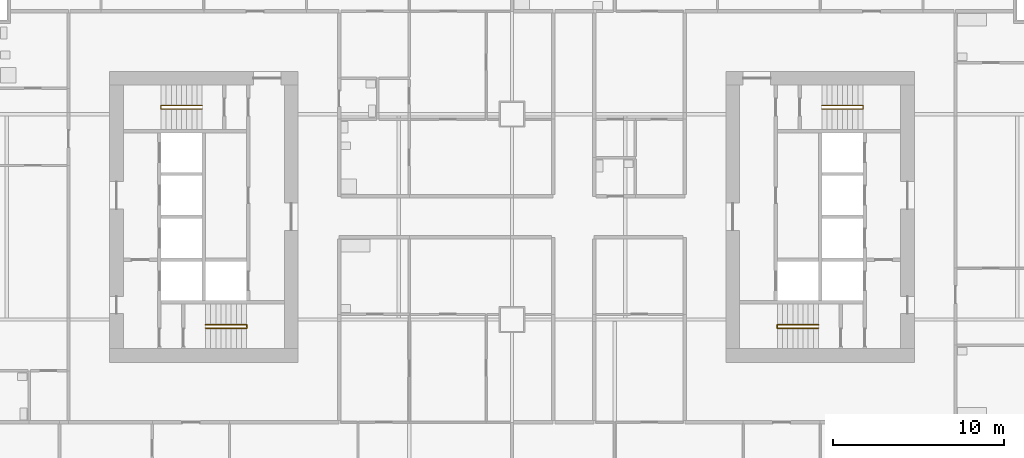
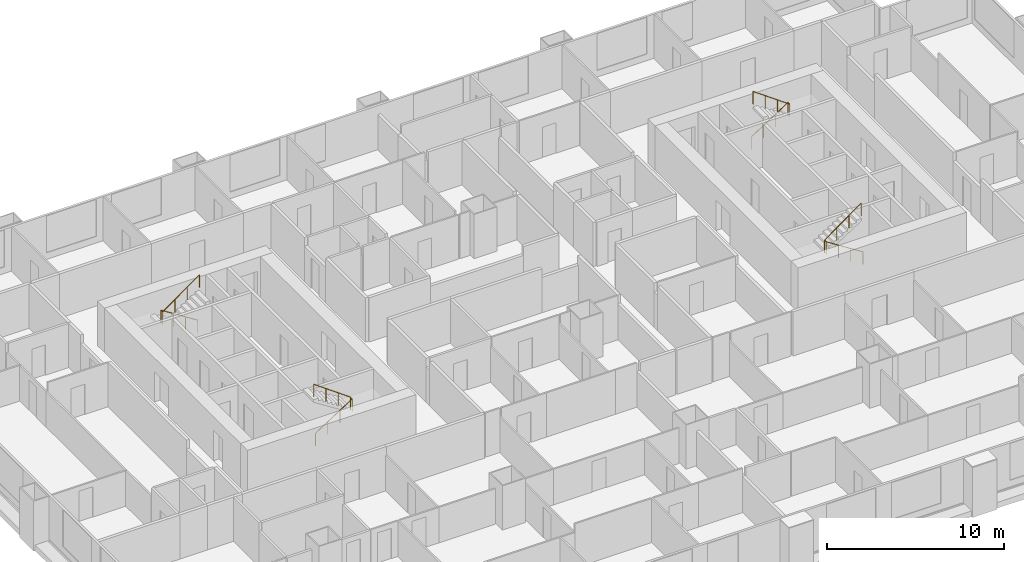
# One storey, part 12 of 13: 4 railings.
"""IFC4 building model written with IfcOpenShell, lengths in metres."""

from ifc_helpers import new_model, si_unit, direction, frame, origin, origin_2d, place, context, subcontext, project, spatial, circle, extrude, material, type_object, element, save


model = new_model("IFC4")

# Units and contexts
model_context = context("Model", 3, precision=1e-05, world=origin(), true_north=direction((0.0, 1.0)))
body_context = subcontext(model_context, "Body", "Model", "MODEL_VIEW")
ifc_project = project(units=[si_unit("LENGTHUNIT", "METRE"), si_unit("AREAUNIT", "SQUARE_METRE"), si_unit("VOLUMEUNIT", "CUBIC_METRE"), si_unit("PLANEANGLEUNIT", "RADIAN"), si_unit("MASSUNIT", "GRAM", prefix="KILO")], contexts=[model_context])

# Site, building, storey
site_placement = place(None, origin())
site = spatial("IfcSite", under=ifc_project, at=site_placement, CompositionType="ELEMENT")
building_placement = place(site_placement, origin())
building = spatial("IfcBuilding", under=site, at=building_placement, Name="Kitamizu Gate Tower and Museum", CompositionType="ELEMENT")
storey_placement = place(building_placement, frame((0.0, 0.0, 88.64990234375)))
storey = spatial("IfcBuildingStorey", under=building, at=storey_placement, Name="L22", CompositionType="ELEMENT", Elevation=88.64990234375)

# Railings
ifc_material = material(Name="Stainless steel SUS304", Category="steel")
railing_type = type_object("IfcRailingType", Name="Stair handrail 900", PredefinedType="HANDRAIL", material=ifc_material)
railing_1_placement = place(storey_placement, frame((18.10009765625, 23.5, 0.191650390625)))
element("IfcRailing", 1, at=railing_1_placement, inside=storey, type_object=railing_type, Name="Stair handrail ST1", PredefinedType="HANDRAIL", context=body_context, shape_type="SweptSolid", body=[
    extrude(circle(Radius=0.02392578125, at=origin_2d()), frame((0.0, 0.0, 0.8759765625), z_axis=(0.842668169335, 0.0, 0.538433242278), x_axis=(0.0, 1.0, 0.0)), (0.0, 0.0, 1.0), 2.847900390625),
    extrude(circle(Radius=0.02392578125, at=origin_2d()), frame((2.39990234375, 0.0, 2.4091796875), z_axis=(0.0, 1.0, 0.0), x_axis=(-1.0, 0.0, 0.0)), (0.0, 0.0, 1.0), 0.199951171875),
    extrude(circle(Radius=0.02392578125, at=origin_2d()), frame((2.39990234375, 0.199951171875, 2.4091796875), z_axis=(-0.811988456656, 0.0, 0.583673492852), x_axis=(0.0, -1.0, 0.0)), (0.0, 0.0, 1.0), 2.95556640625),
    extrude(circle(Radius=0.02099609375, at=origin_2d()), origin(), (0.0, 0.0, 1.0), 0.851806640625),
    extrude(circle(Radius=0.02099609375, at=origin_2d()), frame((0.800048828125, 0.0, 0.51123046875)), (0.0, 0.0, 1.0), 0.851806640625),
    extrude(circle(Radius=0.02099609375, at=origin_2d()), frame((1.599853515625, 0.0, 1.022216796875)), (0.0, 0.0, 1.0), 0.851806640625),
    extrude(circle(Radius=0.02099609375, at=origin_2d()), frame((2.39990234375, 0.0, 1.533447265625)), (0.0, 0.0, 1.0), 0.851806640625),
    extrude(circle(Radius=0.02099609375, at=origin_2d()), frame((2.39990234375, 0.199951171875, 1.533447265625)), (0.0, 0.0, 1.0), 0.851806640625),
    extrude(circle(Radius=0.02099609375, at=origin_2d()), frame((1.599853515625, 0.199951171875, 2.1083984375)), (0.0, 0.0, 1.0), 0.851806640625),
    extrude(circle(Radius=0.02099609375, at=origin_2d()), frame((0.800048828125, 0.199951171875, 2.68359375)), (0.0, 0.0, 1.0), 0.851806640625),
    extrude(circle(Radius=0.02099609375, at=origin_2d()), frame((0.0, 0.199951171875, 3.258544921875)), (0.0, 0.0, 1.0), 0.851806640625),
])
railing_2_placement = place(storey_placement, frame((17.89990234375, 36.5, 0.191650390625)))
element("IfcRailing", 2, at=railing_2_placement, inside=storey, type_object=railing_type, Name="Stair handrail ST2", PredefinedType="HANDRAIL", context=body_context, shape_type="SweptSolid", body=[
    extrude(circle(Radius=0.02392578125, at=origin_2d()), frame((0.0, 0.0, 0.8759765625), z_axis=(-0.842668169335, 0.0, 0.538433242278), x_axis=(0.0, -1.0, 0.0)), (0.0, 0.0, 1.0), 2.847900390625),
    extrude(circle(Radius=0.02392578125, at=origin_2d()), frame((-2.39990234375, 0.0, 2.4091796875), z_axis=(0.0, -1.0, 0.0), x_axis=(1.0, 0.0, 0.0)), (0.0, 0.0, 1.0), 0.199951171875),
    extrude(circle(Radius=0.02392578125, at=origin_2d()), frame((-2.39990234375, -0.199951171875, 2.4091796875), z_axis=(0.811988456656, 0.0, 0.583673492852), x_axis=(0.0, 1.0, 0.0)), (0.0, 0.0, 1.0), 2.95556640625),
    extrude(circle(Radius=0.02099609375, at=origin_2d()), origin(), (0.0, 0.0, 1.0), 0.851806640625),
    extrude(circle(Radius=0.02099609375, at=origin_2d()), frame((-0.800048828125, 0.0, 0.51123046875)), (0.0, 0.0, 1.0), 0.851806640625),
    extrude(circle(Radius=0.02099609375, at=origin_2d()), frame((-1.599853515625, 0.0, 1.022216796875)), (0.0, 0.0, 1.0), 0.851806640625),
    extrude(circle(Radius=0.02099609375, at=origin_2d()), frame((-2.39990234375, 0.0, 1.533447265625)), (0.0, 0.0, 1.0), 0.851806640625),
    extrude(circle(Radius=0.02099609375, at=origin_2d()), frame((-2.39990234375, -0.199951171875, 1.533447265625)), (0.0, 0.0, 1.0), 0.851806640625),
    extrude(circle(Radius=0.02099609375, at=origin_2d()), frame((-1.599853515625, -0.199951171875, 2.1083984375)), (0.0, 0.0, 1.0), 0.851806640625),
    extrude(circle(Radius=0.02099609375, at=origin_2d()), frame((-0.800048828125, -0.199951171875, 2.68359375)), (0.0, 0.0, 1.0), 0.851806640625),
    extrude(circle(Radius=0.02099609375, at=origin_2d()), frame((0.0, -0.199951171875, 3.258544921875)), (0.0, 0.0, 1.0), 0.851806640625),
])
railing_3_placement = place(storey_placement, frame((53.89990234375, 23.5, 0.191650390625)))
element("IfcRailing", 3, at=railing_3_placement, inside=storey, type_object=railing_type, Name="Stair handrail ST3", PredefinedType="HANDRAIL", context=body_context, shape_type="SweptSolid", body=[
    extrude(circle(Radius=0.02392578125, at=origin_2d()), frame((0.0, 0.0, 0.8759765625), z_axis=(-0.842668169335, 0.0, 0.538433242278), x_axis=(0.0, -1.0, 0.0)), (0.0, 0.0, 1.0), 2.847900390625),
    extrude(circle(Radius=0.02392578125, at=origin_2d()), frame((-2.39990234375, 0.0, 2.4091796875), z_axis=(0.0, 1.0, 0.0), x_axis=(-1.0, 0.0, 0.0)), (0.0, 0.0, 1.0), 0.199951171875),
    extrude(circle(Radius=0.02392578125, at=origin_2d()), frame((-2.39990234375, 0.199951171875, 2.4091796875), z_axis=(0.811988456656, 0.0, 0.583673492852), x_axis=(0.0, 1.0, 0.0)), (0.0, 0.0, 1.0), 2.95556640625),
    extrude(circle(Radius=0.02099609375, at=origin_2d()), origin(), (0.0, 0.0, 1.0), 0.851806640625),
    extrude(circle(Radius=0.02099609375, at=origin_2d()), frame((-0.800048828125, 0.0, 0.51123046875)), (0.0, 0.0, 1.0), 0.851806640625),
    extrude(circle(Radius=0.02099609375, at=origin_2d()), frame((-1.599853515625, 0.0, 1.022216796875)), (0.0, 0.0, 1.0), 0.851806640625),
    extrude(circle(Radius=0.02099609375, at=origin_2d()), frame((-2.39990234375, 0.0, 1.533447265625)), (0.0, 0.0, 1.0), 0.851806640625),
    extrude(circle(Radius=0.02099609375, at=origin_2d()), frame((-2.39990234375, 0.199951171875, 1.533447265625)), (0.0, 0.0, 1.0), 0.851806640625),
    extrude(circle(Radius=0.02099609375, at=origin_2d()), frame((-1.599853515625, 0.199951171875, 2.1083984375)), (0.0, 0.0, 1.0), 0.851806640625),
    extrude(circle(Radius=0.02099609375, at=origin_2d()), frame((-0.800048828125, 0.199951171875, 2.68359375)), (0.0, 0.0, 1.0), 0.851806640625),
    extrude(circle(Radius=0.02099609375, at=origin_2d()), frame((0.0, 0.199951171875, 3.258544921875)), (0.0, 0.0, 1.0), 0.851806640625),
])
railing_4_placement = place(storey_placement, frame((54.10009765625, 36.5, 0.191650390625)))
element("IfcRailing", 4, at=railing_4_placement, inside=storey, type_object=railing_type, Name="Stair handrail ST4", PredefinedType="HANDRAIL", context=body_context, shape_type="SweptSolid", body=[
    extrude(circle(Radius=0.02392578125, at=origin_2d()), frame((0.0, 0.0, 0.8759765625), z_axis=(0.842668169335, 0.0, 0.538433242278), x_axis=(0.0, 1.0, 0.0)), (0.0, 0.0, 1.0), 2.847900390625),
    extrude(circle(Radius=0.02392578125, at=origin_2d()), frame((2.39990234375, 0.0, 2.4091796875), z_axis=(0.0, -1.0, 0.0), x_axis=(1.0, 0.0, 0.0)), (0.0, 0.0, 1.0), 0.199951171875),
    extrude(circle(Radius=0.02392578125, at=origin_2d()), frame((2.39990234375, -0.199951171875, 2.4091796875), z_axis=(-0.811988456656, 0.0, 0.583673492852), x_axis=(0.0, -1.0, 0.0)), (0.0, 0.0, 1.0), 2.95556640625),
    extrude(circle(Radius=0.02099609375, at=origin_2d()), origin(), (0.0, 0.0, 1.0), 0.851806640625),
    extrude(circle(Radius=0.02099609375, at=origin_2d()), frame((0.800048828125, 0.0, 0.51123046875)), (0.0, 0.0, 1.0), 0.851806640625),
    extrude(circle(Radius=0.02099609375, at=origin_2d()), frame((1.599853515625, 0.0, 1.022216796875)), (0.0, 0.0, 1.0), 0.851806640625),
    extrude(circle(Radius=0.02099609375, at=origin_2d()), frame((2.39990234375, 0.0, 1.533447265625)), (0.0, 0.0, 1.0), 0.851806640625),
    extrude(circle(Radius=0.02099609375, at=origin_2d()), frame((2.39990234375, -0.199951171875, 1.533447265625)), (0.0, 0.0, 1.0), 0.851806640625),
    extrude(circle(Radius=0.02099609375, at=origin_2d()), frame((1.599853515625, -0.199951171875, 2.1083984375)), (0.0, 0.0, 1.0), 0.851806640625),
    extrude(circle(Radius=0.02099609375, at=origin_2d()), frame((0.800048828125, -0.199951171875, 2.68359375)), (0.0, 0.0, 1.0), 0.851806640625),
    extrude(circle(Radius=0.02099609375, at=origin_2d()), frame((0.0, -0.199951171875, 3.258544921875)), (0.0, 0.0, 1.0), 0.851806640625),
])

save(model, "model.ifc")
